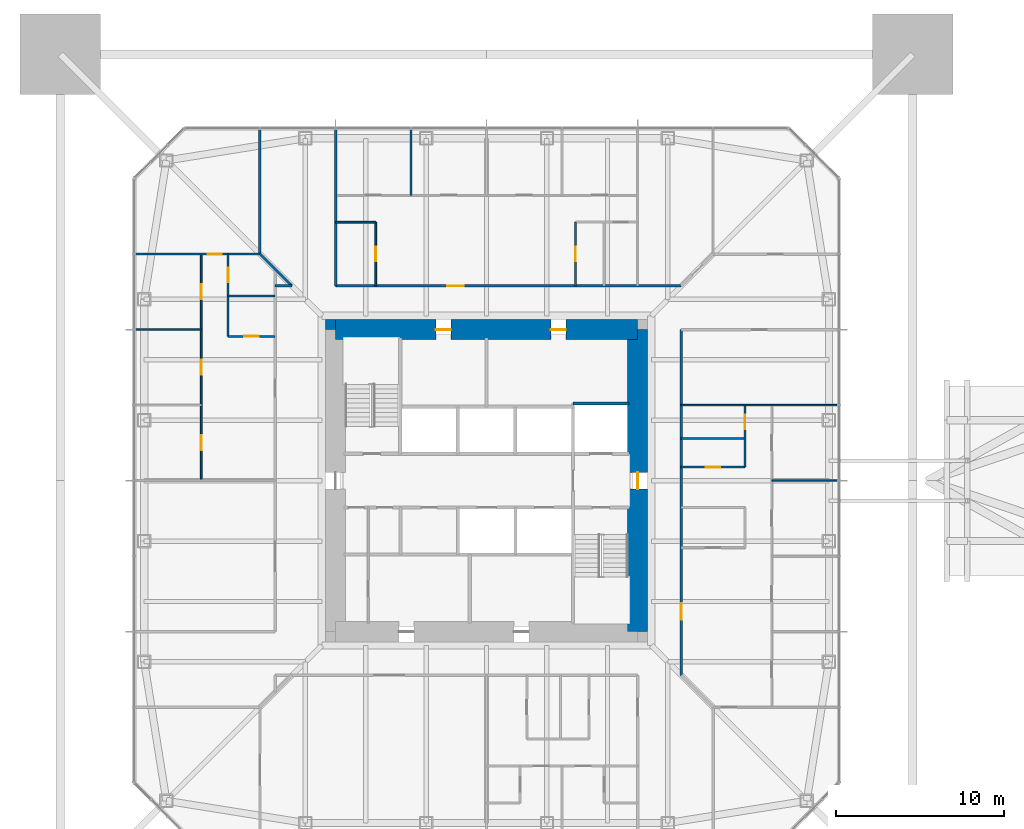
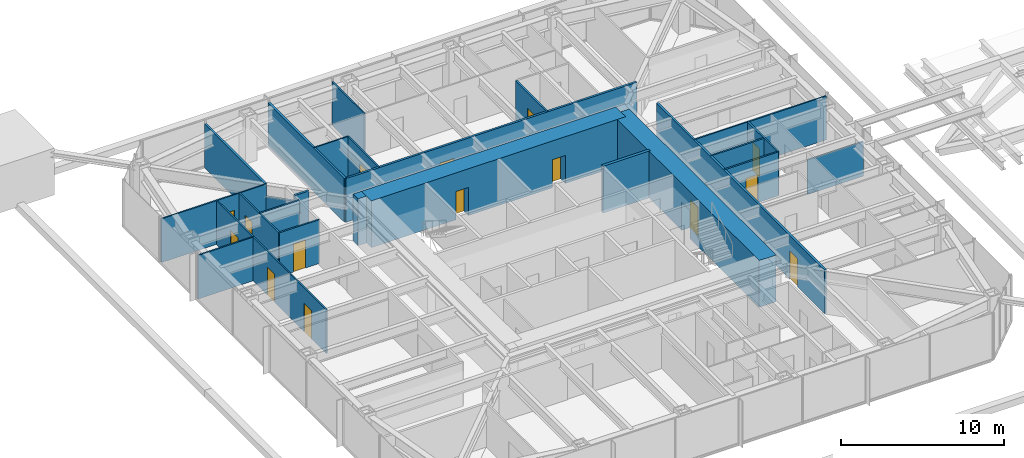
# One storey, part 16 of 26: 25 walls, 15 doors, 15 openings.
"""IFC4 building model written with IfcOpenShell, lengths in metres."""

from ifc_helpers import new_model, si_unit, direction, frame, frame_2d, origin, place, context, subcontext, project, spatial, rectangle, extrude, material, layer, layer_set, type_object, element, fill, save


model = new_model("IFC4")

# Units and contexts
model_context = context("Model", 3, precision=1e-05, world=origin(), true_north=direction((0.0, 1.0)))
body_context = subcontext(model_context, "Body", "Model", "MODEL_VIEW")
ifc_project = project(units=[si_unit("LENGTHUNIT", "METRE"), si_unit("AREAUNIT", "SQUARE_METRE"), si_unit("VOLUMEUNIT", "CUBIC_METRE"), si_unit("PLANEANGLEUNIT", "RADIAN"), si_unit("MASSUNIT", "GRAM", prefix="KILO")], contexts=[model_context])

# Site, building, storey
site_placement = place(None, origin())
site = spatial("IfcSite", under=ifc_project, at=site_placement, CompositionType="ELEMENT")
building_placement = place(site_placement, origin())
building = spatial("IfcBuilding", under=site, at=building_placement, Name="Iwan Alto Co-Living Towers", CompositionType="ELEMENT")
storey_placement = place(building_placement, frame((0.0, 0.0, 126.0)))
storey = spatial("IfcBuildingStorey", under=building, at=storey_placement, Name="L34", CompositionType="ELEMENT", Elevation=126.0)

# Wall
ifc_material_1 = material(Name="Gypsum board")
ifc_layer_1 = layer(ifc_material_1, 0.02490234375, Name="Board", Category="Finish")
ifc_material_2 = material(Name="Steel ASTM A1003 ST33H cold-formed studs", Category="steel")
ifc_layer_2 = layer(ifc_material_2, 0.10009765625, Name="Studs", Category="Framing")
ifc_layer_3 = layer(ifc_material_1, 0.02490234375, Name="Board", Category="Finish")
ifc_layer_set_1 = layer_set([ifc_layer_1, ifc_layer_2, ifc_layer_3], Name="CORRIDOR WALL 150")
wall_type_1 = type_object("IfcWallType", Name="CORRIDOR WALL 150", PredefinedType="PARTITIONING", material=ifc_layer_set_1)
wall_1_placement = place(storey_placement, frame((-12.60009765625, 11.60009765625, 0.0), z_axis=(0.0, 0.0, 1.0), x_axis=(1.0, 0.0, 0.0)))
element("IfcWall", 1, at=wall_1_placement, inside=storey, type_object=wall_type_1, Name="Partition L34", PredefinedType="PARTITIONING", context=body_context, shape_type="SweptSolid", body=[
    extrude(rectangle(XDim=1.0, YDim=0.14990234375, at=frame_2d((0.5, 0.0))), origin(), (0.0, 0.0, 1.0), 3.27001953125),
])

# Wall, opening, door
wall_2_placement = place(storey_placement, frame((-9.0, 11.60009765625, 0.0), z_axis=(0.0, 0.0, 1.0), x_axis=(1.0, 0.0, 0.0)))
wall_2 = element("IfcWall", 2, at=wall_2_placement, inside=storey, type_object=wall_type_1, Name="Partition L34", PredefinedType="PARTITIONING", context=body_context, shape_type="SweptSolid", body=[
    extrude(rectangle(XDim=20.60009765625, YDim=0.14990234375, at=frame_2d((10.300048828125, 0.0))), origin(), (0.0, 0.0, 1.0), 3.27001953125),
])
opening_1_placement = place(wall_2_placement, frame((6.64990234375, 0.0, 0.0)))
opening_1 = element("IfcOpeningElement", 3, at=opening_1_placement, cuts=wall_2, Name="Opening D3", PredefinedType="OPENING", context=body_context, shape_type="SweptSolid", body=[
    extrude(rectangle(XDim=1.0, YDim=2.10009765625, at=frame_2d((0.5, 1.050048828125))), frame((0.0, 0.0849609375, 0.0), z_axis=(0.0, -1.0, 0.0), x_axis=(1.0, 0.0, 0.0)), (0.0, 0.0, 1.0), 0.169921875),
])
ifc_material_3 = material(Name="Steel frame with timber leaf", Category="steel")
door_type_1 = type_object("IfcDoorType", Name="FLAT ENTRANCE DOOR FD30S 1000X2100", OperationType="SINGLE_SWING_LEFT", PredefinedType="DOOR", material=ifc_material_3)
door_1_placement = place(opening_1_placement, origin())
door_1 = element("IfcDoor", 4, at=door_1_placement, inside=storey, type_object=door_type_1, Name="Cluster lounge and shared kitchen door L34", OperationType="SINGLE_SWING_LEFT", OverallHeight=2.10009765625, OverallWidth=1.0, PredefinedType="DOOR", context=body_context, shape_type="SweptSolid", body=[
    extrude(rectangle(XDim=1.0, YDim=2.10009765625, at=frame_2d((0.5, 1.050048828125))), frame((0.0, 0.02490234375, 0.0), z_axis=(0.0, -1.0, 0.0), x_axis=(1.0, 0.0, 0.0)), (0.0, 0.0, 1.0), 0.050048828125),
])
fill(opening_1, door_1)

wall_3_placement = place(storey_placement, frame((11.60009765625, -11.60009765625, 0.0), z_axis=(0.0, 0.0, 1.0), x_axis=(0.0, 1.0, 0.0)))
wall_3 = element("IfcWall", 5, at=wall_3_placement, inside=storey, type_object=wall_type_1, Name="Partition L34", PredefinedType="PARTITIONING", context=body_context, shape_type="SweptSolid", body=[
    extrude(rectangle(XDim=20.60009765625, YDim=0.14990234375, at=frame_2d((10.300048828125, 0.0))), origin(), (0.0, 0.0, 1.0), 3.27001953125),
])
opening_2_placement = place(wall_3_placement, frame((3.300048828125, 0.0, 0.0)))
opening_2 = element("IfcOpeningElement", 6, at=opening_2_placement, cuts=wall_3, Name="Opening D3", PredefinedType="OPENING", context=body_context, shape_type="SweptSolid", body=[
    extrude(rectangle(XDim=1.0, YDim=2.10009765625, at=frame_2d((0.5, 1.050048828125))), frame((0.0, 0.0849609375, 0.0), z_axis=(0.0, -1.0, 0.0), x_axis=(1.0, 0.0, 0.0)), (0.0, 0.0, 1.0), 0.169921875),
])
door_2_placement = place(opening_2_placement, frame((1.0, 0.0, 0.0), z_axis=(0.0, 0.0, 1.0), x_axis=(-1.0, 0.0, 0.0)))
door_2 = element("IfcDoor", 7, at=door_2_placement, inside=storey, type_object=door_type_1, Name="Cluster lounge door L34", OperationType="SINGLE_SWING_LEFT", OverallHeight=2.10009765625, OverallWidth=1.0, PredefinedType="DOOR", context=body_context, shape_type="SweptSolid", body=[
    extrude(rectangle(XDim=1.0, YDim=2.10009765625, at=frame_2d((0.5, 1.050048828125))), frame((0.0, 0.02490234375, 0.0), z_axis=(0.0, -1.0, 0.0), x_axis=(1.0, 0.0, 0.0)), (0.0, 0.0, 1.0), 0.050048828125),
])
fill(opening_2, door_2)

# Walls
wall_4_placement = place(storey_placement, frame((-9.0, 11.60009765625, 0.0), z_axis=(0.0, 0.0, 1.0), x_axis=(0.0, 1.0, 0.0)))
element("IfcWall", 8, at=wall_4_placement, inside=storey, type_object=wall_type_1, Name="Partition L34", PredefinedType="PARTITIONING", context=body_context, shape_type="SweptSolid", body=[
    extrude(rectangle(XDim=9.33984375, YDim=0.14990234375, at=frame_2d((4.669921875, 0.0))), origin(), (0.0, 0.0, 1.0), 3.27001953125),
])
wall_5_placement = place(storey_placement, frame((-13.5, 13.5, 0.0), z_axis=(0.0, 0.0, 1.0), x_axis=(0.0, 1.0, 0.0)))
element("IfcWall", 9, at=wall_5_placement, inside=storey, type_object=wall_type_1, Name="Partition L34", PredefinedType="PARTITIONING", context=body_context, shape_type="SweptSolid", body=[
    extrude(rectangle(XDim=7.43994140625, YDim=0.14990234375, at=frame_2d((3.719970703125, 0.0))), origin(), (0.0, 0.0, 1.0), 3.27001953125),
])
wall_6_placement = place(storey_placement, frame((-11.60009765625, 11.60009765625, 0.0), z_axis=(0.0, 0.0, 1.0), x_axis=(-0.707106781187, 0.707106781187, 0.0)))
element("IfcWall", 10, at=wall_6_placement, inside=storey, type_object=wall_type_1, Name="Partition L34", PredefinedType="PARTITIONING", context=body_context, shape_type="SweptSolid", body=[
    extrude(rectangle(XDim=2.686767578125, YDim=0.14990234375, at=frame_2d((1.34326171875, 0.0))), origin(), (0.0, 0.0, 1.0), 2.343017578125),
])
ifc_layer_4 = layer(ifc_material_1, 0.012451171875, Name="Board", Category="Finish")
ifc_layer_5 = layer(ifc_material_2, 0.074951171875, Name="Studs", Category="Framing")
ifc_layer_6 = layer(ifc_material_1, 0.012451171875, Name="Board", Category="Finish")
ifc_layer_set_2 = layer_set([ifc_layer_4, ifc_layer_5, ifc_layer_6], Name="PARTITION 100")
wall_type_2 = type_object("IfcWallType", Name="PARTITION 100", PredefinedType="PARTITIONING", material=ifc_layer_set_2)
wall_7_placement = place(storey_placement, frame((17.0, 0.0, 0.0), z_axis=(0.0, 0.0, 1.0), x_axis=(1.0, 0.0, 0.0)))
element("IfcWall", 11, at=wall_7_placement, inside=storey, type_object=wall_type_2, Name="Partition L34", PredefinedType="PARTITIONING", context=body_context, shape_type="SweptSolid", body=[
    extrude(rectangle(XDim=3.93994140625, YDim=0.10009765625, at=frame_2d((1.969970703125, 0.0))), origin(), (0.0, 0.0, 1.0), 2.586669921875),
])
wall_8_placement = place(storey_placement, frame((11.60009765625, 4.5, 0.0), z_axis=(0.0, 0.0, 1.0), x_axis=(1.0, 0.0, 0.0)))
element("IfcWall", 12, at=wall_8_placement, inside=storey, type_object=wall_type_2, Name="Partition L34", PredefinedType="PARTITIONING", context=body_context, shape_type="SweptSolid", body=[
    extrude(rectangle(XDim=9.33984375, YDim=0.10009765625, at=frame_2d((4.669921875, 0.0))), origin(), (0.0, 0.0, 1.0), 3.27001953125),
])
wall_9_placement = place(storey_placement, frame((-20.93994140625, 9.0, 0.0), z_axis=(0.0, 0.0, 1.0), x_axis=(1.0, 0.0, 0.0)))
element("IfcWall", 13, at=wall_9_placement, inside=storey, type_object=wall_type_2, Name="Partition L34", PredefinedType="PARTITIONING", context=body_context, shape_type="SweptSolid", body=[
    extrude(rectangle(XDim=3.93994140625, YDim=0.10009765625, at=frame_2d((1.969970703125, 0.0))), origin(), (0.0, 0.0, 1.0), 3.27001953125),
])

# Wall, opening, door
wall_10_placement = place(storey_placement, frame((-20.93994140625, 13.5, 0.0), z_axis=(0.0, 0.0, 1.0), x_axis=(1.0, 0.0, 0.0)))
wall_10 = element("IfcWall", 14, at=wall_10_placement, inside=storey, type_object=wall_type_2, Name="Partition L34", PredefinedType="PARTITIONING", context=body_context, shape_type="SweptSolid", body=[
    extrude(rectangle(XDim=7.43994140625, YDim=0.10009765625, at=frame_2d((3.719970703125, 0.0))), origin(), (0.0, 0.0, 1.0), 3.27001953125),
])
opening_3_placement = place(wall_10_placement, frame((4.31494140625, 0.0, 0.0)))
opening_3 = element("IfcOpeningElement", 15, at=opening_3_placement, cuts=wall_10, Name="Opening D2", PredefinedType="OPENING", context=body_context, shape_type="SweptSolid", body=[
    extrude(rectangle(XDim=0.85009765625, YDim=2.10009765625, at=frame_2d((0.425048828125, 1.050048828125))), frame((0.0, 0.06005859375, 0.0), z_axis=(0.0, -1.0, 0.0), x_axis=(1.0, 0.0, 0.0)), (0.0, 0.0, 1.0), 0.1201171875),
])
ifc_material_4 = material(Name="Timber leaf in steel frame", Category="steel")
door_type_2 = type_object("IfcDoorType", Name="ROOM DOOR 850X2100", OperationType="SINGLE_SWING_LEFT", PredefinedType="DOOR", material=ifc_material_4)
door_3_placement = place(opening_3_placement, origin())
door_3 = element("IfcDoor", 16, at=door_3_placement, inside=storey, type_object=door_type_2, Name="Shared kitchen and lounge door L34", OperationType="SINGLE_SWING_RIGHT", OverallHeight=2.10009765625, OverallWidth=0.85009765625, PredefinedType="DOOR", context=body_context, shape_type="SweptSolid", body=[
    extrude(rectangle(XDim=0.85009765625, YDim=2.10009765625, at=frame_2d((0.425048828125, 1.050048828125))), frame((0.0, 0.02490234375, 0.0), z_axis=(0.0, -1.0, 0.0), x_axis=(1.0, 0.0, 0.0)), (0.0, 0.0, 1.0), 0.050048828125),
])
fill(opening_3, door_3)

# Walls
wall_11_placement = place(storey_placement, frame((-9.0, 15.39990234375, 0.0), z_axis=(0.0, 0.0, 1.0), x_axis=(1.0, 0.0, 0.0)))
element("IfcWall", 17, at=wall_11_placement, inside=storey, type_object=wall_type_2, Name="Partition L34", PredefinedType="PARTITIONING", context=body_context, shape_type="SweptSolid", body=[
    extrude(rectangle(XDim=2.39990234375, YDim=0.10009765625, at=frame_2d((1.199951171875, 0.0))), origin(), (0.0, 0.0, 1.0), 3.27001953125),
])
wall_12_placement = place(storey_placement, frame((-4.5, 17.0, 0.0), z_axis=(0.0, 0.0, 1.0), x_axis=(0.0, 1.0, 0.0)))
element("IfcWall", 18, at=wall_12_placement, inside=storey, type_object=wall_type_2, Name="Partition L34", PredefinedType="PARTITIONING", context=body_context, shape_type="SweptSolid", body=[
    extrude(rectangle(XDim=3.93994140625, YDim=0.10009765625, at=frame_2d((1.969970703125, 0.0))), origin(), (0.0, 0.0, 1.0), 3.27001953125),
])

# Wall, opening, door
wall_13_placement = place(storey_placement, frame((-6.60009765625, 11.60009765625, 0.0), z_axis=(0.0, 0.0, 1.0), x_axis=(0.0, 1.0, 0.0)))
wall_13 = element("IfcWall", 19, at=wall_13_placement, inside=storey, type_object=wall_type_2, Name="Partition L34", PredefinedType="PARTITIONING", context=body_context, shape_type="SweptSolid", body=[
    extrude(rectangle(XDim=3.7998046875, YDim=0.10009765625, at=frame_2d((1.89990234375, 0.0))), origin(), (0.0, 0.0, 1.0), 3.27001953125),
])
opening_4_placement = place(wall_13_placement, frame((1.47509765625, 0.0, 0.0)))
opening_4 = element("IfcOpeningElement", 20, at=opening_4_placement, cuts=wall_13, Name="Opening D2", PredefinedType="OPENING", context=body_context, shape_type="SweptSolid", body=[
    extrude(rectangle(XDim=0.85009765625, YDim=2.10009765625, at=frame_2d((0.425048828125, 1.050048828125))), frame((0.0, 0.06005859375, 0.0), z_axis=(0.0, -1.0, 0.0), x_axis=(1.0, 0.0, 0.0)), (0.0, 0.0, 1.0), 0.1201171875),
])
door_4_placement = place(opening_4_placement, frame((0.85009765625, 0.0, 0.0), z_axis=(0.0, 0.0, 1.0), x_axis=(-1.0, 0.0, 0.0)))
door_4 = element("IfcDoor", 21, at=door_4_placement, inside=storey, type_object=door_type_2, Name="Study room door L34", OperationType="SINGLE_SWING_RIGHT", OverallHeight=2.10009765625, OverallWidth=0.85009765625, PredefinedType="DOOR", context=body_context, shape_type="SweptSolid", body=[
    extrude(rectangle(XDim=0.85009765625, YDim=2.10009765625, at=frame_2d((0.425048828125, 1.050048828125))), frame((0.0, 0.02490234375, 0.0), z_axis=(0.0, -1.0, 0.0), x_axis=(1.0, 0.0, 0.0)), (0.0, 0.0, 1.0), 0.050048828125),
])
fill(opening_4, door_4)

# Wall, openings, doors
wall_14_placement = place(storey_placement, frame((-17.0, 0.0, 0.0), z_axis=(0.0, 0.0, 1.0), x_axis=(0.0, 1.0, 0.0)))
wall_14 = element("IfcWall", 22, at=wall_14_placement, inside=storey, type_object=wall_type_2, Name="Partition L34", PredefinedType="PARTITIONING", context=body_context, shape_type="SweptSolid", body=[
    extrude(rectangle(XDim=13.5, YDim=0.10009765625, at=frame_2d((6.75, 0.0))), origin(), (0.0, 0.0, 1.0), 3.27001953125),
])
opening_5_placement = place(wall_14_placement, frame((10.800048828125, 0.0, 0.0)))
opening_5 = element("IfcOpeningElement", 23, at=opening_5_placement, cuts=wall_14, Name="Opening D1", PredefinedType="OPENING", context=body_context, shape_type="SweptSolid", body=[
    extrude(rectangle(XDim=0.89990234375, YDim=2.10009765625, at=frame_2d((0.449951171875, 1.050048828125))), frame((0.0, 0.06005859375, 0.0), z_axis=(0.0, -1.0, 0.0), x_axis=(1.0, 0.0, 0.0)), (0.0, 0.0, 1.0), 0.1201171875),
])
opening_6_placement = place(wall_14_placement, frame((6.300048828125, 0.0, 0.0)))
opening_6 = element("IfcOpeningElement", 24, at=opening_6_placement, cuts=wall_14, Name="Opening D1", PredefinedType="OPENING", context=body_context, shape_type="SweptSolid", body=[
    extrude(rectangle(XDim=0.89990234375, YDim=2.10009765625, at=frame_2d((0.449951171875, 1.050048828125))), frame((0.0, 0.06005859375, 0.0), z_axis=(0.0, -1.0, 0.0), x_axis=(1.0, 0.0, 0.0)), (0.0, 0.0, 1.0), 0.1201171875),
])
opening_7_placement = place(wall_14_placement, frame((1.800048828125, 0.0, 0.0)))
opening_7 = element("IfcOpeningElement", 25, at=opening_7_placement, cuts=wall_14, Name="Opening D1", PredefinedType="OPENING", context=body_context, shape_type="SweptSolid", body=[
    extrude(rectangle(XDim=0.89990234375, YDim=2.10009765625, at=frame_2d((0.449951171875, 1.050048828125))), frame((0.0, 0.06005859375, 0.0), z_axis=(0.0, -1.0, 0.0), x_axis=(1.0, 0.0, 0.0)), (0.0, 0.0, 1.0), 0.1201171875),
])
ifc_material_5 = material(Name="Timber leaf in steel frame", Category="steel")
door_type_3 = type_object("IfcDoorType", Name="BEDROOM DOOR 900X2100", OperationType="SINGLE_SWING_LEFT", PredefinedType="DOOR", material=ifc_material_5)
door_5_placement = place(opening_5_placement, frame((0.89990234375, 0.0, 0.0), z_axis=(0.0, 0.0, 1.0), x_axis=(-1.0, 0.0, 0.0)))
door_5 = element("IfcDoor", 26, at=door_5_placement, inside=storey, type_object=door_type_3, Name="Study bedroom door L34", OperationType="SINGLE_SWING_LEFT", OverallHeight=2.10009765625, OverallWidth=0.89990234375, PredefinedType="DOOR", context=body_context, shape_type="SweptSolid", body=[
    extrude(rectangle(XDim=0.89990234375, YDim=2.10009765625, at=frame_2d((0.449951171875, 1.050048828125))), frame((0.0, 0.02490234375, 0.0), z_axis=(0.0, -1.0, 0.0), x_axis=(1.0, 0.0, 0.0)), (0.0, 0.0, 1.0), 0.050048828125),
])
fill(opening_5, door_5)
door_6_placement = place(opening_6_placement, frame((0.89990234375, 0.0, 0.0), z_axis=(0.0, 0.0, 1.0), x_axis=(-1.0, 0.0, 0.0)))
door_6 = element("IfcDoor", 27, at=door_6_placement, inside=storey, type_object=door_type_3, Name="Study bedroom door L34", OperationType="SINGLE_SWING_RIGHT", OverallHeight=2.10009765625, OverallWidth=0.89990234375, PredefinedType="DOOR", context=body_context, shape_type="SweptSolid", body=[
    extrude(rectangle(XDim=0.89990234375, YDim=2.10009765625, at=frame_2d((0.449951171875, 1.050048828125))), frame((0.0, 0.02490234375, 0.0), z_axis=(0.0, -1.0, 0.0), x_axis=(1.0, 0.0, 0.0)), (0.0, 0.0, 1.0), 0.050048828125),
])
fill(opening_6, door_6)
door_7_placement = place(opening_7_placement, frame((0.89990234375, 0.0, 0.0), z_axis=(0.0, 0.0, 1.0), x_axis=(-1.0, 0.0, 0.0)))
door_7 = element("IfcDoor", 28, at=door_7_placement, inside=storey, type_object=door_type_3, Name="Study bedroom door L34", OperationType="SINGLE_SWING_RIGHT", OverallHeight=2.10009765625, OverallWidth=0.89990234375, PredefinedType="DOOR", context=body_context, shape_type="SweptSolid", body=[
    extrude(rectangle(XDim=0.89990234375, YDim=2.10009765625, at=frame_2d((0.449951171875, 1.050048828125))), frame((0.0, 0.02490234375, 0.0), z_axis=(0.0, -1.0, 0.0), x_axis=(1.0, 0.0, 0.0)), (0.0, 0.0, 1.0), 0.050048828125),
])
fill(opening_7, door_7)

# Walls
ifc_material_6 = material(Name="Concrete f'c 70 MPa", Category="concrete")
ifc_layer_7 = layer(ifc_material_6, 0.199951171875)
ifc_layer_set_3 = layer_set([ifc_layer_7], Name="SHAFT WALL 200")
wall_type_3 = type_object("IfcWallType", Name="SHAFT WALL 200", PredefinedType="SOLIDWALL", material=ifc_layer_set_3)
wall_15_placement = place(storey_placement, frame((5.14990234375, 4.60009765625, 0.0), z_axis=(0.0, 0.0, 1.0), x_axis=(1.0, 0.0, 0.0)))
element("IfcWall", 29, at=wall_15_placement, inside=storey, type_object=wall_type_3, Name="Shaft wall L34", PredefinedType="SOLIDWALL", context=body_context, shape_type="SweptSolid", body=[
    extrude(rectangle(XDim=3.340087890625, YDim=0.199951171875, at=frame_2d((1.669921875, 0.0))), origin(), (0.0, 0.0, 1.0), 3.5),
])
ifc_material_7 = material(Name="Concrete f'c 70 MPa", Category="concrete")
ifc_layer_8 = layer(ifc_material_7, 0.60009765625)
ifc_layer_set_4 = layer_set([ifc_layer_8], Name="T1 CORE CORNER FILL 600")
wall_type_4 = type_object("IfcWallType", Name="T1 CORE CORNER FILL 600", PredefinedType="SOLIDWALL", material=ifc_layer_set_4)
wall_16_placement = place(storey_placement, frame((-9.60009765625, 9.300048828125, 0.0), z_axis=(0.0, 0.0, 1.0), x_axis=(1.0, 0.0, 0.0)))
element("IfcWall", 30, at=wall_16_placement, inside=storey, type_object=wall_type_4, Name="T1 core corner NW L34", PredefinedType="SOLIDWALL", context=body_context, shape_type="SweptSolid", body=[
    extrude(rectangle(XDim=0.60009765625, YDim=0.60009765625, at=frame_2d((0.300048828125, 0.0))), origin(), (0.0, 0.0, 1.0), 3.5),
])

# Wall, openings, doors
ifc_material_8 = material(Name="Concrete f'c 70 MPa", Category="concrete")
ifc_layer_9 = layer(ifc_material_8, 1.199951171875)
ifc_layer_set_5 = layer_set([ifc_layer_9], Name="T1 CORE WALL 1200")
wall_type_5 = type_object("IfcWallType", Name="T1 CORE WALL 1200", PredefinedType="SHEAR", material=ifc_layer_set_5)
wall_17_placement = place(storey_placement, frame((9.0, 9.0, 0.0), z_axis=(0.0, 0.0, 1.0), x_axis=(-1.0, 0.0, 0.0)))
wall_17 = element("IfcWall", 31, at=wall_17_placement, inside=storey, type_object=wall_type_5, Name="T1 core wall N L34", PredefinedType="SHEAR", context=body_context, shape_type="SweptSolid", body=[
    extrude(rectangle(XDim=18.0, YDim=1.199951171875, at=frame_2d((9.0, 0.0))), origin(), (0.0, 0.0, 1.0), 3.5),
])
opening_8_placement = place(wall_17_placement, frame((11.125, 0.0, 0.0)))
opening_8 = element("IfcOpeningElement", 32, at=opening_8_placement, cuts=wall_17, Name="Opening D8", PredefinedType="OPENING", context=body_context, shape_type="SweptSolid", body=[
    extrude(rectangle(XDim=0.89990234375, YDim=2.10009765625, at=frame_2d((0.449951171875, 1.050048828125))), frame((0.0, 0.60986328125, 0.0), z_axis=(0.0, -1.0, 0.0), x_axis=(1.0, 0.0, 0.0)), (0.0, 0.0, 1.0), 1.219970703125),
])
opening_9_placement = place(wall_17_placement, frame((4.27490234375, 0.0, 0.0)))
opening_9 = element("IfcOpeningElement", 33, at=opening_9_placement, cuts=wall_17, Name="Opening D8", PredefinedType="OPENING", context=body_context, shape_type="SweptSolid", body=[
    extrude(rectangle(XDim=0.89990234375, YDim=2.10009765625, at=frame_2d((0.449951171875, 1.050048828125))), frame((0.0, 0.60986328125, 0.0), z_axis=(0.0, -1.0, 0.0), x_axis=(1.0, 0.0, 0.0)), (0.0, 0.0, 1.0), 1.219970703125),
])
ifc_material_9 = material(Name="Steel frame with timber leaf", Category="steel")
door_type_4 = type_object("IfcDoorType", Name="RISER DOOR FD120 900X2100", OperationType="SINGLE_SWING_LEFT", PredefinedType="DOOR", material=ifc_material_9)
door_8_placement = place(opening_8_placement, origin())
door_8 = element("IfcDoor", 34, at=door_8_placement, inside=storey, type_object=door_type_4, Name="Electrical riser core door L34", OperationType="SINGLE_SWING_RIGHT", OverallHeight=2.10009765625, OverallWidth=0.89990234375, PredefinedType="DOOR", context=body_context, shape_type="SweptSolid", body=[
    extrude(rectangle(XDim=0.89990234375, YDim=2.10009765625, at=frame_2d((0.449951171875, 1.050048828125))), frame((0.0, 0.02490234375, 0.0), z_axis=(0.0, -1.0, 0.0), x_axis=(1.0, 0.0, 0.0)), (0.0, 0.0, 1.0), 0.050048828125),
])
fill(opening_8, door_8)
door_9_placement = place(opening_9_placement, origin())
door_9 = element("IfcDoor", 35, at=door_9_placement, inside=storey, type_object=door_type_4, Name="Water and drainage riser core door L34", OperationType="SINGLE_SWING_RIGHT", OverallHeight=2.10009765625, OverallWidth=0.89990234375, PredefinedType="DOOR", context=body_context, shape_type="SweptSolid", body=[
    extrude(rectangle(XDim=0.89990234375, YDim=2.10009765625, at=frame_2d((0.449951171875, 1.050048828125))), frame((0.0, 0.02490234375, 0.0), z_axis=(0.0, -1.0, 0.0), x_axis=(1.0, 0.0, 0.0)), (0.0, 0.0, 1.0), 0.050048828125),
])
fill(opening_9, door_9)

# Wall, opening, door
wall_18_placement = place(storey_placement, frame((9.0, -9.0, 0.0), z_axis=(0.0, 0.0, 1.0), x_axis=(0.0, 1.0, 0.0)))
wall_18 = element("IfcWall", 36, at=wall_18_placement, inside=storey, type_object=wall_type_5, Name="T1 core wall E L34", PredefinedType="SHEAR", context=body_context, shape_type="SweptSolid", body=[
    extrude(rectangle(XDim=18.0, YDim=1.199951171875, at=frame_2d((9.0, 0.0))), origin(), (0.0, 0.0, 1.0), 3.5),
])
opening_10_placement = place(wall_18_placement, frame((8.5, 0.0, 0.0)))
opening_10 = element("IfcOpeningElement", 37, at=opening_10_placement, cuts=wall_18, Name="Opening D7", PredefinedType="OPENING", context=body_context, shape_type="SweptSolid", body=[
    extrude(rectangle(XDim=1.0, YDim=2.10009765625, at=frame_2d((0.5, 1.050048828125))), frame((0.0, 0.60986328125, 0.0), z_axis=(0.0, -1.0, 0.0), x_axis=(1.0, 0.0, 0.0)), (0.0, 0.0, 1.0), 1.219970703125),
])
ifc_material_10 = material(Name="Steel frame with timber leaf", Category="steel")
door_type_5 = type_object("IfcDoorType", Name="CORE DOOR FD120S 1000X2100", OperationType="SINGLE_SWING_LEFT", PredefinedType="DOOR", material=ifc_material_10)
door_10_placement = place(opening_10_placement, origin())
door_10 = element("IfcDoor", 38, at=door_10_placement, inside=storey, type_object=door_type_5, Name="Firefighting lobby core door L34", OperationType="SINGLE_SWING_LEFT", OverallHeight=2.10009765625, OverallWidth=1.0, PredefinedType="DOOR", context=body_context, shape_type="SweptSolid", body=[
    extrude(rectangle(XDim=1.0, YDim=2.10009765625, at=frame_2d((0.5, 1.050048828125))), frame((0.0, 0.02490234375, 0.0), z_axis=(0.0, -1.0, 0.0), x_axis=(1.0, 0.0, 0.0)), (0.0, 0.0, 1.0), 0.050048828125),
])
fill(opening_10, door_10)

ifc_material_11 = material(Name="Cement board")
ifc_layer_10 = layer(ifc_material_11, 0.012451171875, Name="Board", Category="Finish")
ifc_layer_11 = layer(ifc_material_2, 0.094970703125, Name="Studs", Category="Framing")
ifc_layer_12 = layer(ifc_material_11, 0.012451171875, Name="Board", Category="Finish")
ifc_layer_set_6 = layer_set([ifc_layer_10, ifc_layer_11, ifc_layer_12], Name="WET AREA PARTITION 120")
wall_type_6 = type_object("IfcWallType", Name="WET AREA PARTITION 120", PredefinedType="PARTITIONING", material=ifc_layer_set_6)
wall_19_placement = place(storey_placement, frame((11.60009765625, 0.800048828125, 0.0), z_axis=(0.0, 0.0, 1.0), x_axis=(1.0, 0.0, 0.0)))
wall_19 = element("IfcWall", 39, at=wall_19_placement, inside=storey, type_object=wall_type_6, Name="Partition L34", PredefinedType="PARTITIONING", context=body_context, shape_type="SweptSolid", body=[
    extrude(rectangle(XDim=3.7998046875, YDim=0.1201171875, at=frame_2d((1.89990234375, 0.0))), origin(), (0.0, 0.0, 1.0), 3.27001953125),
])
opening_11_placement = place(wall_19_placement, frame((1.47509765625, 0.0, 0.0)))
opening_11 = element("IfcOpeningElement", 40, at=opening_11_placement, cuts=wall_19, Name="Opening D2", PredefinedType="OPENING", context=body_context, shape_type="SweptSolid", body=[
    extrude(rectangle(XDim=0.85009765625, YDim=2.10009765625, at=frame_2d((0.425048828125, 1.050048828125))), frame((0.0, 0.070068359375, 0.0), z_axis=(0.0, -1.0, 0.0), x_axis=(1.0, 0.0, 0.0)), (0.0, 0.0, 1.0), 0.14013671875),
])
door_11_placement = place(opening_11_placement, frame((0.85009765625, 0.0, 0.0), z_axis=(0.0, 0.0, 1.0), x_axis=(-1.0, 0.0, 0.0)))
door_11 = element("IfcDoor", 41, at=door_11_placement, inside=storey, type_object=door_type_2, Name="Bathroom door L34", OperationType="SINGLE_SWING_RIGHT", OverallHeight=2.10009765625, OverallWidth=0.85009765625, PredefinedType="DOOR", context=body_context, shape_type="SweptSolid", body=[
    extrude(rectangle(XDim=0.85009765625, YDim=2.10009765625, at=frame_2d((0.425048828125, 1.050048828125))), frame((0.0, 0.02490234375, 0.0), z_axis=(0.0, -1.0, 0.0), x_axis=(1.0, 0.0, 0.0)), (0.0, 0.0, 1.0), 0.050048828125),
])
fill(opening_11, door_11)

# Wall
wall_20_placement = place(storey_placement, frame((11.60009765625, 2.5, 0.0), z_axis=(0.0, 0.0, 1.0), x_axis=(1.0, 0.0, 0.0)))
element("IfcWall", 42, at=wall_20_placement, inside=storey, type_object=wall_type_6, Name="Partition L34", PredefinedType="PARTITIONING", context=body_context, shape_type="SweptSolid", body=[
    extrude(rectangle(XDim=3.7998046875, YDim=0.1201171875, at=frame_2d((1.89990234375, 0.0))), origin(), (0.0, 0.0, 1.0), 3.27001953125),
])

# Wall, opening, door
wall_21_placement = place(storey_placement, frame((-15.39990234375, 8.60009765625, 0.0), z_axis=(0.0, 0.0, 1.0), x_axis=(1.0, 0.0, 0.0)))
wall_21 = element("IfcWall", 43, at=wall_21_placement, inside=storey, type_object=wall_type_6, Name="Partition L34", PredefinedType="PARTITIONING", context=body_context, shape_type="SweptSolid", body=[
    extrude(rectangle(XDim=2.7998046875, YDim=0.1201171875, at=frame_2d((1.39990234375, 0.0))), origin(), (0.0, 0.0, 1.0), 3.27001953125),
])
opening_12_placement = place(wall_21_placement, frame((0.97509765625, 0.0, 0.0)))
opening_12 = element("IfcOpeningElement", 44, at=opening_12_placement, cuts=wall_21, Name="Opening D2", PredefinedType="OPENING", context=body_context, shape_type="SweptSolid", body=[
    extrude(rectangle(XDim=0.85009765625, YDim=2.10009765625, at=frame_2d((0.425048828125, 1.050048828125))), frame((0.0, 0.070068359375, 0.0), z_axis=(0.0, -1.0, 0.0), x_axis=(1.0, 0.0, 0.0)), (0.0, 0.0, 1.0), 0.14013671875),
])
door_12_placement = place(opening_12_placement, frame((0.85009765625, 0.0, 0.0), z_axis=(0.0, 0.0, 1.0), x_axis=(-1.0, 0.0, 0.0)))
door_12 = element("IfcDoor", 45, at=door_12_placement, inside=storey, type_object=door_type_2, Name="Accessible bathroom door L34", OperationType="SINGLE_SWING_LEFT", OverallHeight=2.10009765625, OverallWidth=0.85009765625, PredefinedType="DOOR", context=body_context, shape_type="SweptSolid", body=[
    extrude(rectangle(XDim=0.85009765625, YDim=2.10009765625, at=frame_2d((0.425048828125, 1.050048828125))), frame((0.0, 0.02490234375, 0.0), z_axis=(0.0, -1.0, 0.0), x_axis=(1.0, 0.0, 0.0)), (0.0, 0.0, 1.0), 0.050048828125),
])
fill(opening_12, door_12)

# Wall
wall_22_placement = place(storey_placement, frame((-15.39990234375, 11.0, 0.0), z_axis=(0.0, 0.0, 1.0), x_axis=(1.0, 0.0, 0.0)))
element("IfcWall", 46, at=wall_22_placement, inside=storey, type_object=wall_type_6, Name="Partition L34", PredefinedType="PARTITIONING", context=body_context, shape_type="SweptSolid", body=[
    extrude(rectangle(XDim=2.7998046875, YDim=0.1201171875, at=frame_2d((1.39990234375, 0.0))), origin(), (0.0, 0.0, 1.0), 3.27001953125),
])

# Wall, opening, door
wall_23_placement = place(storey_placement, frame((15.39990234375, 0.800048828125, 0.0), z_axis=(0.0, 0.0, 1.0), x_axis=(0.0, 1.0, 0.0)))
wall_23 = element("IfcWall", 47, at=wall_23_placement, inside=storey, type_object=wall_type_6, Name="Partition L34", PredefinedType="PARTITIONING", context=body_context, shape_type="SweptSolid", body=[
    extrude(rectangle(XDim=3.699951171875, YDim=0.1201171875, at=frame_2d((1.85009765625, 0.0))), origin(), (0.0, 0.0, 1.0), 3.27001953125),
])
opening_13_placement = place(wall_23_placement, frame((2.27490234375, 0.0, 0.0)))
opening_13 = element("IfcOpeningElement", 48, at=opening_13_placement, cuts=wall_23, Name="Opening D2", PredefinedType="OPENING", context=body_context, shape_type="SweptSolid", body=[
    extrude(rectangle(XDim=0.85009765625, YDim=2.10009765625, at=frame_2d((0.425048828125, 1.050048828125))), frame((0.0, 0.070068359375, 0.0), z_axis=(0.0, -1.0, 0.0), x_axis=(1.0, 0.0, 0.0)), (0.0, 0.0, 1.0), 0.14013671875),
])
door_13_placement = place(opening_13_placement, frame((0.85009765625, 0.0, 0.0), z_axis=(0.0, 0.0, 1.0), x_axis=(-1.0, 0.0, 0.0)))
door_13 = element("IfcDoor", 49, at=door_13_placement, inside=storey, type_object=door_type_2, Name="Laundry door L34", OperationType="SINGLE_SWING_LEFT", OverallHeight=2.10009765625, OverallWidth=0.85009765625, PredefinedType="DOOR", context=body_context, shape_type="SweptSolid", body=[
    extrude(rectangle(XDim=0.85009765625, YDim=2.10009765625, at=frame_2d((0.425048828125, 1.050048828125))), frame((0.0, 0.02490234375, 0.0), z_axis=(0.0, -1.0, 0.0), x_axis=(1.0, 0.0, 0.0)), (0.0, 0.0, 1.0), 0.050048828125),
])
fill(opening_13, door_13)

wall_24_placement = place(storey_placement, frame((5.300048828125, 11.60009765625, 0.0), z_axis=(0.0, 0.0, 1.0), x_axis=(0.0, 1.0, 0.0)))
wall_24 = element("IfcWall", 50, at=wall_24_placement, inside=storey, type_object=wall_type_6, Name="Partition L34", PredefinedType="PARTITIONING", context=body_context, shape_type="SweptSolid", body=[
    extrude(rectangle(XDim=3.7998046875, YDim=0.1201171875, at=frame_2d((1.89990234375, 0.0))), origin(), (0.0, 0.0, 1.0), 3.27001953125),
])
opening_14_placement = place(wall_24_placement, frame((1.47509765625, 0.0, 0.0)))
opening_14 = element("IfcOpeningElement", 51, at=opening_14_placement, cuts=wall_24, Name="Opening D2", PredefinedType="OPENING", context=body_context, shape_type="SweptSolid", body=[
    extrude(rectangle(XDim=0.85009765625, YDim=2.10009765625, at=frame_2d((0.425048828125, 1.050048828125))), frame((0.0, 0.070068359375, 0.0), z_axis=(0.0, -1.0, 0.0), x_axis=(1.0, 0.0, 0.0)), (0.0, 0.0, 1.0), 0.14013671875),
])
door_14_placement = place(opening_14_placement, origin())
door_14 = element("IfcDoor", 52, at=door_14_placement, inside=storey, type_object=door_type_2, Name="Bathroom door L34", OperationType="SINGLE_SWING_LEFT", OverallHeight=2.10009765625, OverallWidth=0.85009765625, PredefinedType="DOOR", context=body_context, shape_type="SweptSolid", body=[
    extrude(rectangle(XDim=0.85009765625, YDim=2.10009765625, at=frame_2d((0.425048828125, 1.050048828125))), frame((0.0, 0.02490234375, 0.0), z_axis=(0.0, -1.0, 0.0), x_axis=(1.0, 0.0, 0.0)), (0.0, 0.0, 1.0), 0.050048828125),
])
fill(opening_14, door_14)

wall_25_placement = place(storey_placement, frame((-15.39990234375, 8.60009765625, 0.0), z_axis=(0.0, 0.0, 1.0), x_axis=(0.0, 1.0, 0.0)))
wall_25 = element("IfcWall", 53, at=wall_25_placement, inside=storey, type_object=wall_type_6, Name="Partition L34", PredefinedType="PARTITIONING", context=body_context, shape_type="SweptSolid", body=[
    extrude(rectangle(XDim=4.89990234375, YDim=0.1201171875, at=frame_2d((2.449951171875, 0.0))), origin(), (0.0, 0.0, 1.0), 3.27001953125),
])
opening_15_placement = place(wall_25_placement, frame((3.22509765625, 0.0, 0.0)))
opening_15 = element("IfcOpeningElement", 54, at=opening_15_placement, cuts=wall_25, Name="Opening D2", PredefinedType="OPENING", context=body_context, shape_type="SweptSolid", body=[
    extrude(rectangle(XDim=0.85009765625, YDim=2.10009765625, at=frame_2d((0.425048828125, 1.050048828125))), frame((0.0, 0.070068359375, 0.0), z_axis=(0.0, -1.0, 0.0), x_axis=(1.0, 0.0, 0.0)), (0.0, 0.0, 1.0), 0.14013671875),
])
door_15_placement = place(opening_15_placement, origin())
door_15 = element("IfcDoor", 55, at=door_15_placement, inside=storey, type_object=door_type_2, Name="Laundry door L34", OperationType="SINGLE_SWING_RIGHT", OverallHeight=2.10009765625, OverallWidth=0.85009765625, PredefinedType="DOOR", context=body_context, shape_type="SweptSolid", body=[
    extrude(rectangle(XDim=0.85009765625, YDim=2.10009765625, at=frame_2d((0.425048828125, 1.050048828125))), frame((0.0, 0.02490234375, 0.0), z_axis=(0.0, -1.0, 0.0), x_axis=(1.0, 0.0, 0.0)), (0.0, 0.0, 1.0), 0.050048828125),
])
fill(opening_15, door_15)

save(model, "model.ifc")
